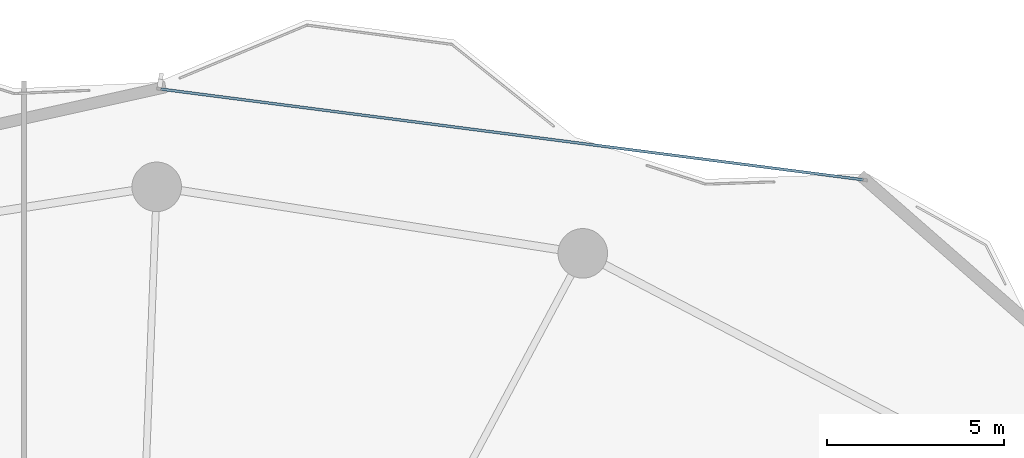
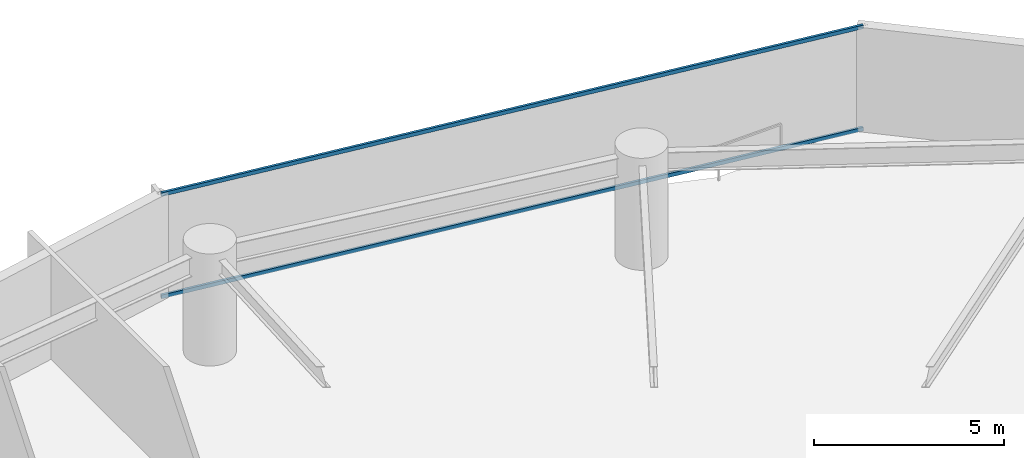
# One storey, part 21 of 31: 2 members, 1 element without a shape of its own.
"""IFC4 building model written with IfcOpenShell, lengths in metres."""

from ifc_helpers import new_model, si_unit, direction, frame, origin, origin_2d, place, context, subcontext, project, spatial, hollow_rectangle, extrude, material, layer, layer_set, material_profile, profile_set, type_object, element, aggregate, save


model = new_model("IFC4")

# Units and contexts
model_context = context("Model", 3, precision=1e-05, world=origin(), true_north=direction((0.0, 1.0)))
body_context = subcontext(model_context, "Body", "Model", "MODEL_VIEW")
ifc_project = project(units=[si_unit("LENGTHUNIT", "METRE"), si_unit("AREAUNIT", "SQUARE_METRE"), si_unit("VOLUMEUNIT", "CUBIC_METRE"), si_unit("PLANEANGLEUNIT", "RADIAN"), si_unit("MASSUNIT", "GRAM", prefix="KILO")], contexts=[model_context])

# Site, building, storey
site_placement = place(None, origin())
site = spatial("IfcSite", under=ifc_project, at=site_placement, CompositionType="ELEMENT")
building_placement = place(site_placement, origin())
building = spatial("IfcBuilding", under=site, at=building_placement, Name="Kazevale Care Tower and Concert Hall", CompositionType="ELEMENT")
storey_placement = place(building_placement, frame((0.0, 0.0, 60.0)))
storey = spatial("IfcBuildingStorey", under=building, at=storey_placement, Name="L15", CompositionType="ELEMENT", Elevation=60.0)

# Curtain wall, members
ifc_material_1 = material(Name="Aluminium 6063-T6 and Low-E Glass", Category="aluminium")
ifc_layer = layer(ifc_material_1, 0.179931640625)
ifc_layer_set = layer_set([ifc_layer], Name="Aluminium 6063-T6 and Low-E Glass")
curtain_wall_type = type_object("IfcCurtainWallType", Name="Convex Recessed Sunroom Curtain Wall CW-3", PredefinedType="NOTDEFINED", material=ifc_layer_set)
curtain_wall_placement = place(storey_placement, origin())
curtain_wall = element("IfcCurtainWall", 1, at=curtain_wall_placement, inside=storey, type_object=curtain_wall_type, Name="cw:L15:f16", PredefinedType="NOTDEFINED")
ifc_material_2 = material(Name="Aluminium 6063-T6", Category="aluminium")
ifc_material_profile = material_profile(ifc_material_2, hollow_rectangle(XDim=0.074951171875, YDim=0.1201171875, WallThickness=0.00390625, at=origin_2d()), Name="ALU75x120x4")
ifc_profile_set = profile_set([ifc_material_profile], Name="Aluminium 6063-T6")
member_type = type_object("IfcMemberType", Name="CW-3 Transom ALU75x120x4", PredefinedType="USERDEFINED", material=ifc_profile_set)
member_1_placement = place(storey_placement, frame((45.114501953125, 65.412353515625, 0.03759765625), z_axis=(0.991763328336, -0.128083959056, 0.0), x_axis=(0.128083959056, 0.991763328336, 0.0)))
member_1 = element("IfcMember", 2, at=member_1_placement, type_object=member_type, Name="CW-3 transom 1.1", ObjectType="TRANSOM", PredefinedType="USERDEFINED", context=body_context, shape_type="SweptSolid", body=[
    extrude(hollow_rectangle(XDim=0.074951171875, YDim=0.1201171875, WallThickness=0.00390625, at=origin_2d()), origin(), (0.0, 0.0, 1.0), 20.015869140625),
])
member_2_placement = place(storey_placement, frame((45.114501953125, 65.412353515625, 3.322509765625), z_axis=(0.991763328336, -0.128083959056, 0.0), x_axis=(0.128083959056, 0.991763328336, 0.0)))
member_2 = element("IfcMember", 3, at=member_2_placement, type_object=member_type, Name="CW-3 transom 1.2", ObjectType="TRANSOM", PredefinedType="USERDEFINED", context=body_context, shape_type="SweptSolid", body=[
    extrude(hollow_rectangle(XDim=0.074951171875, YDim=0.1201171875, WallThickness=0.00390625, at=origin_2d()), origin(), (0.0, 0.0, 1.0), 20.015869140625),
])
aggregate(curtain_wall, [member_1, member_2])

save(model, "model.ifc")
